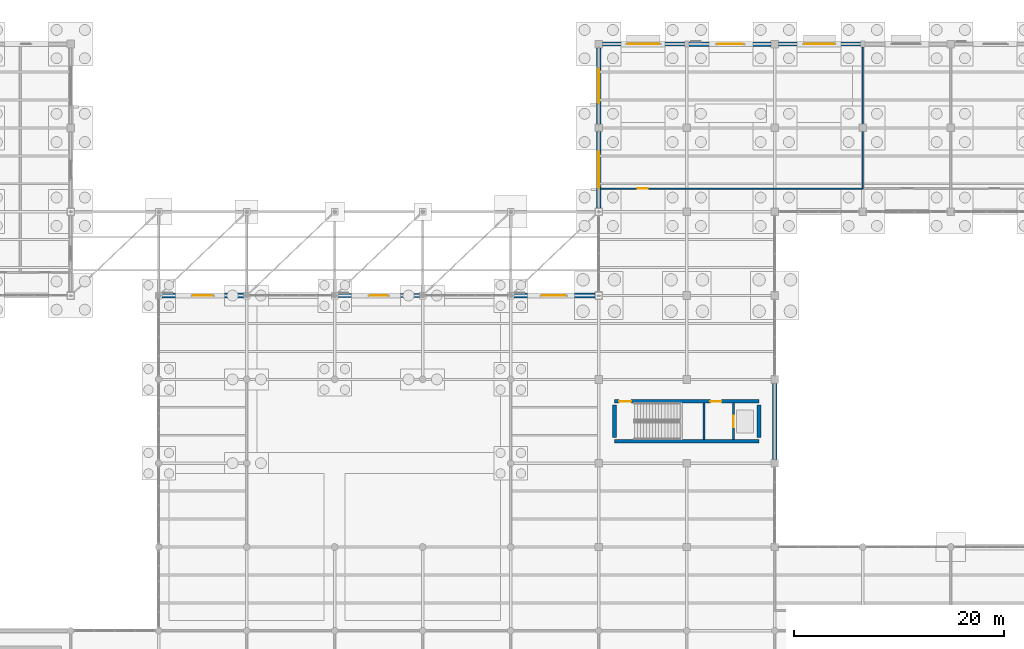
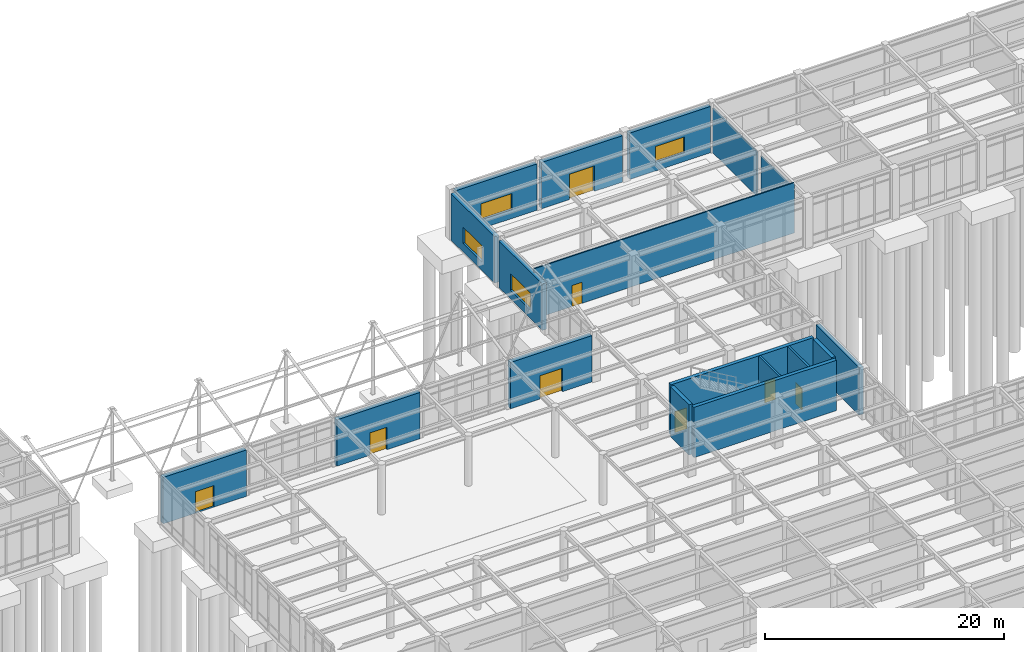
# One storey, part 83 of 138: 18 walls, 8 doors, 4 windows, 12 openings.
"""IFC4 building model written with IfcOpenShell, lengths in metres."""

from ifc_helpers import new_model, si_unit, direction, frame, frame_2d, origin, place, context, subcontext, project, spatial, rectangle, extrude, material, layer, layer_set, type_object, element, fill, save


model = new_model("IFC4")

# Units and contexts
model_context = context("Model", 3, precision=1e-05, world=origin(), true_north=direction((0.0, 1.0)))
body_context = subcontext(model_context, "Body", "Model", "MODEL_VIEW")
ifc_project = project(units=[si_unit("LENGTHUNIT", "METRE"), si_unit("AREAUNIT", "SQUARE_METRE"), si_unit("VOLUMEUNIT", "CUBIC_METRE"), si_unit("PLANEANGLEUNIT", "RADIAN"), si_unit("MASSUNIT", "GRAM", prefix="KILO")], contexts=[model_context])

# Site, building, storey
site_placement = place(None, origin())
site = spatial("IfcSite", under=ifc_project, at=site_placement, CompositionType="ELEMENT")
building_placement = place(site_placement, origin())
building = spatial("IfcBuilding", under=site, at=building_placement, Name="Kranzveld Transit Interchange", CompositionType="ELEMENT")
storey_placement = place(building_placement, origin())
storey = spatial("IfcBuildingStorey", under=building, at=storey_placement, Name="L00", CompositionType="ELEMENT", Elevation=0.0)

# Wall
ifc_material_1 = material(Name="Concrete C40/50", Category="concrete")
ifc_layer_1 = layer(ifc_material_1, 0.35009765625)
ifc_layer_set_1 = layer_set([ifc_layer_1], Name="Concrete C40/50")
wall_type_1 = type_object("IfcWallType", Name="Core Shear Wall RC 350 C40/50", PredefinedType="SHEAR", material=ifc_layer_set_1)
wall_1_placement = place(storey_placement, frame((102.300048828125, 74.090087890625, 0.0), z_axis=(0.0, 0.0, 1.0), x_axis=(1.0, 0.0, 0.0)))
element("IfcWall", 1, at=wall_1_placement, inside=storey, type_object=wall_type_1, Name="L00 Community Core C3 Shear Wall S", PredefinedType="SHEAR", context=body_context, shape_type="SweptSolid", body=[
    extrude(rectangle(XDim=13.800048828125, YDim=0.35009765625, at=frame_2d((6.89990234375, 0.0))), origin(), (0.0, 0.0, 1.0), 5.14990234375),
])

# Wall, openings, doors
wall_2_placement = place(storey_placement, frame((102.300048828125, 77.909912109375, 0.0), z_axis=(0.0, 0.0, 1.0), x_axis=(1.0, 0.0, 0.0)))
wall_2 = element("IfcWall", 2, at=wall_2_placement, inside=storey, type_object=wall_type_1, Name="L00 Community Core C3 Shear Wall N", PredefinedType="SHEAR", context=body_context, shape_type="SweptSolid", body=[
    extrude(rectangle(XDim=13.800048828125, YDim=0.35009765625, at=frame_2d((6.89990234375, 0.0))), origin(), (0.0, 0.0, 1.0), 5.14990234375),
])
opening_1_placement = place(wall_2_placement, frame((0.449951171875, 0.0, 0.0), z_axis=(0.0, 0.0, 1.0), x_axis=(1.0, 0.0, 0.0)))
opening_1 = element("IfcOpeningElement", 3, at=opening_1_placement, cuts=wall_2, Name="Opening D-ST-C3-L00", PredefinedType="OPENING", context=body_context, shape_type="SweptSolid", body=[
    extrude(rectangle(XDim=1.14990234375, YDim=2.14990234375, at=frame_2d((0.574951171875, 1.074951171875))), frame((0.0, 0.18505859375, 0.0), z_axis=(0.0, -1.0, 0.0), x_axis=(1.0, 0.0, 0.0)), (0.0, 0.0, 1.0), 0.3701171875),
])
opening_2_placement = place(wall_2_placement, frame((9.14990234375, 0.0, 0.0), z_axis=(0.0, 0.0, 1.0), x_axis=(1.0, 0.0, 0.0)))
opening_2 = element("IfcOpeningElement", 4, at=opening_2_placement, cuts=wall_2, Name="Opening D-LB-C3-L00", PredefinedType="OPENING", context=body_context, shape_type="SweptSolid", body=[
    extrude(rectangle(XDim=1.050048828125, YDim=2.14990234375, at=frame_2d((0.52490234375, 1.074951171875))), frame((0.0, 0.18505859375, 0.0), z_axis=(0.0, -1.0, 0.0), x_axis=(1.0, 0.0, 0.0)), (0.0, 0.0, 1.0), 0.3701171875),
])
ifc_material_2 = material(Name="Steel S355JR", Category="steel")
door_type_1 = type_object("IfcDoorType", Name="Lift Lobby Fire Door 1050x2150 FD120S", OperationType="NOTDEFINED", PredefinedType="DOOR", material=ifc_material_2)
door_1_placement = place(opening_2_placement, origin())
door_1 = element("IfcDoor", 5, at=door_1_placement, inside=storey, type_object=door_type_1, Name="L00 Community Core C3 Lift Protected Lobby Door", OperationType="SINGLE_SWING_RIGHT", OverallHeight=2.14990234375, OverallWidth=1.050048828125, PredefinedType="DOOR", context=body_context, shape_type="SweptSolid", body=[
    extrude(rectangle(XDim=1.050048828125, YDim=2.14990234375, at=frame_2d((0.52490234375, 1.074951171875))), frame((0.0, 0.02490234375, 0.0), z_axis=(0.0, -1.0, 0.0), x_axis=(1.0, 0.0, 0.0)), (0.0, 0.0, 1.0), 0.050048828125),
])
fill(opening_2, door_1)
ifc_material_3 = material(Name="Steel S355JR", Category="steel")
door_type_2 = type_object("IfcDoorType", Name="Stair Core Fire Door 1150x2150 FD120S", OperationType="NOTDEFINED", PredefinedType="DOOR", material=ifc_material_3)
door_2_placement = place(opening_1_placement, origin())
door_2 = element("IfcDoor", 6, at=door_2_placement, inside=storey, type_object=door_type_2, Name="L00 ST-V4A Protected Stair Door", OperationType="SINGLE_SWING_RIGHT", OverallHeight=2.14990234375, OverallWidth=1.14990234375, PredefinedType="DOOR", context=body_context, shape_type="SweptSolid", body=[
    extrude(rectangle(XDim=1.14990234375, YDim=2.14990234375, at=frame_2d((0.574951171875, 1.074951171875))), frame((0.0, 0.02490234375, 0.0), z_axis=(0.0, -1.0, 0.0), x_axis=(1.0, 0.0, 0.0)), (0.0, 0.0, 1.0), 0.050048828125),
])
fill(opening_1, door_2)

# Walls
for number, where, z_axis, x_axis, name in (
    (7, (102.300048828125, 74.43994140625, 0.0), (0.0, 0.0, 1.0), (0.0, 1.0, 0.0), "L00 Community Core C3 Shear Wall W"),
    (8, (116.10009765625, 74.43994140625, 0.0), (0.0, 0.0, 1.0), (0.0, 1.0, 0.0), "L00 Community Core C3 Shear Wall E"),
):
    element("IfcWall", number, at=place(storey_placement, frame(where, z_axis=z_axis, x_axis=x_axis)), inside=storey, type_object=wall_type_1, Name=name, PredefinedType="SHEAR", context=body_context, shape_type="SweptSolid", body=[
        extrude(rectangle(XDim=3.1201171875, YDim=0.35009765625, at=frame_2d((1.56005859375, 0.0))), origin(), (0.0, 0.0, 1.0), 5.14990234375),
    ])

# Wall, opening, door
ifc_material_4 = material(Name="Dark Pretoria clinker clay plinth brick, 40 MPa", Category="masonry")
ifc_layer_2 = layer(ifc_material_4, 0.409912109375)
ifc_layer_set_2 = layer_set([ifc_layer_2], Name="Dark Pretoria clinker clay plinth brick, 40 MPa")
wall_type_2 = type_object("IfcWallType", Name="Exterior Arcade Wall Dark Clinker 410", PredefinedType="SOLIDWALL", material=ifc_layer_set_2)
wall_3_placement = place(storey_placement, frame((75.77783203125, 88.0, 0.0), z_axis=(0.0, 0.0, 1.0), x_axis=(1.0, 0.0, 0.0)))
wall_3 = element("IfcWall", 9, at=wall_3_placement, inside=storey, type_object=wall_type_2, Name="L00 Clinker Facade Wall 10/M-11/M", PredefinedType="SOLIDWALL", context=body_context, shape_type="SweptSolid", body=[
    extrude(rectangle(XDim=8.04443359375, YDim=0.409912109375, at=frame_2d((4.022216796875, 0.0))), origin(), (0.0, 0.0, 1.0), 4.740478515625),
])
opening_3_placement = place(wall_3_placement, frame((3.197265625, 0.0, 0.0), z_axis=(0.0, 0.0, 1.0), x_axis=(1.0, 0.0, 0.0)))
opening_3 = element("IfcOpeningElement", 10, at=opening_3_placement, cuts=wall_3, Name="Opening ED-00-05", PredefinedType="OPENING", context=body_context, shape_type="SweptSolid", body=[
    extrude(rectangle(XDim=1.64990234375, YDim=2.300048828125, at=frame_2d((0.824951171875, 1.14990234375))), frame((0.0, 0.21484375, 0.0), z_axis=(0.0, -1.0, 0.0), x_axis=(1.0, 0.0, 0.0)), (0.0, 0.0, 1.0), 0.429931640625),
])
ifc_material_5 = material(Name="Bronze-anodised thermally broken aluminium", Category="aluminium")
door_type_3 = type_object("IfcDoorType", Name="Shopfront Glazed Entrance Door 1650x2300", OperationType="NOTDEFINED", PredefinedType="DOOR", material=ifc_material_5)
door_3_placement = place(opening_3_placement, origin())
door_3 = element("IfcDoor", 11, at=door_3_placement, inside=storey, type_object=door_type_3, Name="L00 Entrance/Exit Door 10/M", OperationType="DOUBLE_DOOR_SINGLE_SWING", OverallHeight=2.300048828125, OverallWidth=1.64990234375, PredefinedType="DOOR", context=body_context, shape_type="SweptSolid", body=[
    extrude(rectangle(XDim=1.64990234375, YDim=2.300048828125, at=frame_2d((0.824951171875, 1.14990234375))), frame((0.0, 0.02490234375, 0.0), z_axis=(0.0, -1.0, 0.0), x_axis=(1.0, 0.0, 0.0)), (0.0, 0.0, 1.0), 0.050048828125),
])
fill(opening_3, door_3)

# Wall, opening, window
wall_4_placement = place(storey_placement, frame((100.800048828125, 96.375, 0.0), z_axis=(0.0, 0.0, 1.0), x_axis=(0.0, 1.0, 0.0)))
wall_4 = element("IfcWall", 12, at=wall_4_placement, inside=storey, type_object=wall_type_2, Name="L00 Clinker Facade Wall 13/N-13/P", PredefinedType="SOLIDWALL", context=body_context, shape_type="SweptSolid", body=[
    extrude(rectangle(XDim=7.27490234375, YDim=0.409912109375, at=frame_2d((3.637451171875, 0.0))), origin(), (0.0, 0.0, 1.0), 4.747314453125),
])
opening_4_placement = place(wall_4_placement, frame((1.9375, 0.0, 0.89990234375), z_axis=(0.0, 0.0, 1.0), x_axis=(1.0, 0.0, 0.0)))
opening_4 = element("IfcOpeningElement", 13, at=opening_4_placement, cuts=wall_4, Name="Opening W-02", PredefinedType="OPENING", context=body_context, shape_type="SweptSolid", body=[
    extrude(rectangle(XDim=3.39990234375, YDim=1.699951171875, at=frame_2d((1.699951171875, 0.85009765625))), frame((0.0, 0.21484375, 0.0), z_axis=(0.0, -1.0, 0.0), x_axis=(1.0, 0.0, 0.0)), (0.0, 0.0, 1.0), 0.429931640625),
])
ifc_material_6 = material(Name="Solar-control double glazing", Category="glass")
window_type_1 = type_object("IfcWindowType", Name="Window Ribbon Triple 3400x1700", PartitioningType="TRIPLE_PANEL_VERTICAL", PredefinedType="WINDOW", material=ifc_material_6)
window_1_placement = place(opening_4_placement, origin())
window_1 = element("IfcWindow", 14, at=window_1_placement, inside=storey, type_object=window_type_1, Name="L00 Facade Window 13/N", OverallHeight=1.699951171875, OverallWidth=3.39990234375, PartitioningType="TRIPLE_PANEL_VERTICAL", PredefinedType="WINDOW", context=body_context, shape_type="SweptSolid", body=[
    extrude(rectangle(XDim=3.39990234375, YDim=1.699951171875, at=frame_2d((1.699951171875, 0.85009765625))), frame((0.0, 0.030029296875, 0.0), z_axis=(0.0, -1.0, 0.0), x_axis=(1.0, 0.0, 0.0)), (0.0, 0.0, 1.0), 0.06005859375),
])
fill(opening_4, window_1)

wall_5_placement = place(storey_placement, frame((101.14990234375, 112.0, 0.0), z_axis=(0.0, 0.0, 1.0), x_axis=(1.0, 0.0, 0.0)))
wall_5 = element("IfcWall", 15, at=wall_5_placement, inside=storey, type_object=wall_type_2, Name="L00 Clinker Facade Wall 13/Q-14/Q", PredefinedType="SOLIDWALL", context=body_context, shape_type="SweptSolid", body=[
    extrude(rectangle(XDim=7.8251953125, YDim=0.409912109375, at=frame_2d((3.91259765625, 0.0))), origin(), (0.0, 0.0, 1.0), 4.740478515625),
])
opening_5_placement = place(wall_5_placement, frame((2.41259765625, 0.0, 0.89990234375), z_axis=(0.0, 0.0, 1.0), x_axis=(1.0, 0.0, 0.0)))
opening_5 = element("IfcOpeningElement", 16, at=opening_5_placement, cuts=wall_5, Name="Opening W-04", PredefinedType="OPENING", context=body_context, shape_type="SweptSolid", body=[
    extrude(rectangle(XDim=3.0, YDim=1.64990234375, at=frame_2d((1.5, 0.824951171875))), frame((0.0, 0.21484375, 0.0), z_axis=(0.0, -1.0, 0.0), x_axis=(1.0, 0.0, 0.0)), (0.0, 0.0, 1.0), 0.429931640625),
])
ifc_material_7 = material(Name="Solar-control double glazing", Category="glass")
window_type_2 = type_object("IfcWindowType", Name="Window Ribbon Double 3000x1650", PartitioningType="DOUBLE_PANEL_VERTICAL", PredefinedType="WINDOW", material=ifc_material_7)
window_2_placement = place(opening_5_placement, origin())
window_2 = element("IfcWindow", 17, at=window_2_placement, inside=storey, type_object=window_type_2, Name="L00 Facade Window 13/Q", OverallHeight=1.64990234375, OverallWidth=3.0, PartitioningType="DOUBLE_PANEL_VERTICAL", PredefinedType="WINDOW", context=body_context, shape_type="SweptSolid", body=[
    extrude(rectangle(XDim=3.0, YDim=1.64990234375, at=frame_2d((1.5, 0.824951171875))), frame((0.0, 0.030029296875, 0.0), z_axis=(0.0, -1.0, 0.0), x_axis=(1.0, 0.0, 0.0)), (0.0, 0.0, 1.0), 0.06005859375),
])
fill(opening_5, window_2)

wall_6_placement = place(storey_placement, frame((117.949951171875, 112.0, 0.0), z_axis=(0.0, 0.0, 1.0), x_axis=(1.0, 0.0, 0.0)))
wall_6 = element("IfcWall", 18, at=wall_6_placement, inside=storey, type_object=wall_type_2, Name="L00 Clinker Facade Wall 15/Q-16/Q", PredefinedType="SOLIDWALL", context=body_context, shape_type="SweptSolid", body=[
    extrude(rectangle(XDim=7.824951171875, YDim=0.409912109375, at=frame_2d((3.91259765625, 0.0))), origin(), (0.0, 0.0, 1.0), 4.740478515625),
])
opening_6_placement = place(wall_6_placement, frame((2.512451171875, 0.0, 0.89990234375), z_axis=(0.0, 0.0, 1.0), x_axis=(1.0, 0.0, 0.0)))
opening_6 = element("IfcOpeningElement", 19, at=opening_6_placement, cuts=wall_6, Name="Opening W-05", PredefinedType="OPENING", context=body_context, shape_type="SweptSolid", body=[
    extrude(rectangle(XDim=2.800048828125, YDim=1.60009765625, at=frame_2d((1.39990234375, 0.800048828125))), frame((0.0, 0.21484375, 0.0), z_axis=(0.0, -1.0, 0.0), x_axis=(1.0, 0.0, 0.0)), (0.0, 0.0, 1.0), 0.429931640625),
])
ifc_material_8 = material(Name="Solar-control double glazing", Category="glass")
window_type_3 = type_object("IfcWindowType", Name="Window Ribbon Double 2800x1600", PartitioningType="DOUBLE_PANEL_VERTICAL", PredefinedType="WINDOW", material=ifc_material_8)
window_3_placement = place(opening_6_placement, origin())
window_3 = element("IfcWindow", 20, at=window_3_placement, inside=storey, type_object=window_type_3, Name="L00 Facade Window 15/Q", OverallHeight=1.60009765625, OverallWidth=2.800048828125, PartitioningType="DOUBLE_PANEL_VERTICAL", PredefinedType="WINDOW", context=body_context, shape_type="SweptSolid", body=[
    extrude(rectangle(XDim=2.800048828125, YDim=1.60009765625, at=frame_2d((1.39990234375, 0.800048828125))), frame((0.0, 0.030029296875, 0.0), z_axis=(0.0, -1.0, 0.0), x_axis=(1.0, 0.0, 0.0)), (0.0, 0.0, 1.0), 0.06005859375),
])
fill(opening_6, window_3)

# Wall
wall_7_placement = place(storey_placement, frame((117.60009765625, 72.375, 0.0), z_axis=(0.0, 0.0, 1.0), x_axis=(0.0, 1.0, 0.0)))
element("IfcWall", 21, at=wall_7_placement, inside=storey, type_object=wall_type_2, Name="L00 Clinker Facade Wall 15/K-15/L", PredefinedType="SOLIDWALL", context=body_context, shape_type="SweptSolid", body=[
    extrude(rectangle(XDim=7.25, YDim=0.409912109375, at=frame_2d((3.625, 0.0))), origin(), (0.0, 0.0, 1.0), 4.85009765625),
])

# Wall, opening, door
ifc_material_9 = material(Name="Dark Pretoria clinker clay plinth brick, 40 MPa", Category="masonry")
ifc_layer_3 = layer(ifc_material_9, 0.43994140625)
ifc_layer_set_3 = layer_set([ifc_layer_3], Name="Dark Pretoria clinker clay plinth brick, 40 MPa")
wall_type_3 = type_object("IfcWallType", Name="Exterior Plinth Wall Dark Clinker 440", PredefinedType="SOLIDWALL", material=ifc_layer_set_3)
wall_8_placement = place(storey_placement, frame((58.977783203125, 88.0, 0.0), z_axis=(0.0, 0.0, 1.0), x_axis=(1.0, 0.0, 0.0)))
wall_8 = element("IfcWall", 22, at=wall_8_placement, inside=storey, type_object=wall_type_3, Name="L00 Clinker Facade Wall 08/M-09/M", PredefinedType="SOLIDWALL", context=body_context, shape_type="SweptSolid", body=[
    extrude(rectangle(XDim=8.04443359375, YDim=0.43994140625, at=frame_2d((4.022216796875, 0.0))), origin(), (0.0, 0.0, 1.0), 4.740478515625),
])
opening_7_placement = place(wall_8_placement, frame((3.122314453125, 0.0, 0.0), z_axis=(0.0, 0.0, 1.0), x_axis=(1.0, 0.0, 0.0)))
opening_7 = element("IfcOpeningElement", 23, at=opening_7_placement, cuts=wall_8, Name="Opening ED-00-04", PredefinedType="OPENING", context=body_context, shape_type="SweptSolid", body=[
    extrude(rectangle(XDim=1.800048828125, YDim=2.199951171875, at=frame_2d((0.89990234375, 1.10009765625))), frame((0.0, 0.22998046875, 0.0), z_axis=(0.0, -1.0, 0.0), x_axis=(1.0, 0.0, 0.0)), (0.0, 0.0, 1.0), 0.4599609375),
])
ifc_material_10 = material(Name="Bronze-anodised thermally broken aluminium", Category="aluminium")
door_type_4 = type_object("IfcDoorType", Name="Final Exit Double Fire Door 1800x2200 FD60S", OperationType="NOTDEFINED", PredefinedType="DOOR", material=ifc_material_10)
door_4_placement = place(opening_7_placement, origin())
door_4 = element("IfcDoor", 24, at=door_4_placement, inside=storey, type_object=door_type_4, Name="L00 Entrance/Exit Door 08/M", OperationType="DOUBLE_DOOR_SINGLE_SWING", OverallHeight=2.199951171875, OverallWidth=1.800048828125, PredefinedType="DOOR", context=body_context, shape_type="SweptSolid", body=[
    extrude(rectangle(XDim=1.800048828125, YDim=2.199951171875, at=frame_2d((0.89990234375, 1.10009765625))), frame((0.0, 0.02490234375, 0.0), z_axis=(0.0, -1.0, 0.0), x_axis=(1.0, 0.0, 0.0)), (0.0, 0.0, 1.0), 0.050048828125),
])
fill(opening_7, door_4)

wall_9_placement = place(storey_placement, frame((92.577880859375, 88.0, 0.0), z_axis=(0.0, 0.0, 1.0), x_axis=(1.0, 0.0, 0.0)))
wall_9 = element("IfcWall", 25, at=wall_9_placement, inside=storey, type_object=wall_type_3, Name="L00 Clinker Facade Wall 12/M-13/M", PredefinedType="SOLIDWALL", context=body_context, shape_type="SweptSolid", body=[
    extrude(rectangle(XDim=7.84716796875, YDim=0.43994140625, at=frame_2d((3.923583984375, 0.0))), origin(), (0.0, 0.0, 1.0), 4.740478515625),
])
opening_8_placement = place(wall_9_placement, frame((2.823486328125, 0.0, 0.0), z_axis=(0.0, 0.0, 1.0), x_axis=(1.0, 0.0, 0.0)))
opening_8 = element("IfcOpeningElement", 26, at=opening_8_placement, cuts=wall_9, Name="Opening ED-00-06", PredefinedType="OPENING", context=body_context, shape_type="SweptSolid", body=[
    extrude(rectangle(XDim=2.199951171875, YDim=2.39990234375, at=frame_2d((1.10009765625, 1.199951171875))), frame((0.0, 0.22998046875, 0.0), z_axis=(0.0, -1.0, 0.0), x_axis=(1.0, 0.0, 0.0)), (0.0, 0.0, 1.0), 0.4599609375),
])
ifc_material_11 = material(Name="Bronze-anodised thermally broken aluminium", Category="aluminium")
door_type_5 = type_object("IfcDoorType", Name="Cycle Hub Pass-Through Double Door 2200x2400", OperationType="NOTDEFINED", PredefinedType="DOOR", material=ifc_material_11)
door_5_placement = place(opening_8_placement, origin())
door_5 = element("IfcDoor", 27, at=door_5_placement, inside=storey, type_object=door_type_5, Name="L00 Entrance/Exit Door 12/M", OperationType="DOUBLE_DOOR_SINGLE_SWING", OverallHeight=2.39990234375, OverallWidth=2.199951171875, PredefinedType="DOOR", context=body_context, shape_type="SweptSolid", body=[
    extrude(rectangle(XDim=2.199951171875, YDim=2.39990234375, at=frame_2d((1.10009765625, 1.199951171875))), frame((0.0, 0.02490234375, 0.0), z_axis=(0.0, -1.0, 0.0), x_axis=(1.0, 0.0, 0.0)), (0.0, 0.0, 1.0), 0.050048828125),
])
fill(opening_8, door_5)

# Wall, opening, window
wall_10_placement = place(storey_placement, frame((100.800048828125, 104.35009765625, 0.0), z_axis=(0.0, 0.0, 1.0), x_axis=(0.0, 1.0, 0.0)))
wall_10 = element("IfcWall", 28, at=wall_10_placement, inside=storey, type_object=wall_type_3, Name="L00 Clinker Facade Wall 13/P-13/Q", PredefinedType="SOLIDWALL", context=body_context, shape_type="SweptSolid", body=[
    extrude(rectangle(XDim=7.2998046875, YDim=0.43994140625, at=frame_2d((3.64990234375, 0.0))), origin(), (0.0, 0.0, 1.0), 4.747314453125),
])
opening_9_placement = place(wall_10_placement, frame((2.050048828125, 0.0, 0.89990234375), z_axis=(0.0, 0.0, 1.0), x_axis=(1.0, 0.0, 0.0)))
opening_9 = element("IfcOpeningElement", 29, at=opening_9_placement, cuts=wall_10, Name="Opening W-03", PredefinedType="OPENING", context=body_context, shape_type="SweptSolid", body=[
    extrude(rectangle(XDim=3.199951171875, YDim=1.64990234375, at=frame_2d((1.60009765625, 0.824951171875))), frame((0.0, 0.22998046875, 0.0), z_axis=(0.0, -1.0, 0.0), x_axis=(1.0, 0.0, 0.0)), (0.0, 0.0, 1.0), 0.4599609375),
])
ifc_material_12 = material(Name="Solar-control double glazing", Category="glass")
window_type_4 = type_object("IfcWindowType", Name="Window Ribbon Triple 3200x1650", PartitioningType="TRIPLE_PANEL_VERTICAL", PredefinedType="WINDOW", material=ifc_material_12)
window_4_placement = place(opening_9_placement, origin())
window_4 = element("IfcWindow", 30, at=window_4_placement, inside=storey, type_object=window_type_4, Name="L00 Facade Window 13/P", OverallHeight=1.64990234375, OverallWidth=3.199951171875, PartitioningType="TRIPLE_PANEL_VERTICAL", PredefinedType="WINDOW", context=body_context, shape_type="SweptSolid", body=[
    extrude(rectangle(XDim=3.199951171875, YDim=1.64990234375, at=frame_2d((1.60009765625, 0.824951171875))), frame((0.0, 0.030029296875, 0.0), z_axis=(0.0, -1.0, 0.0), x_axis=(1.0, 0.0, 0.0)), (0.0, 0.0, 1.0), 0.06005859375),
])
fill(opening_9, window_4)

# Wall, opening, door
wall_11_placement = place(storey_placement, frame((109.425048828125, 112.0, 0.0), z_axis=(0.0, 0.0, 1.0), x_axis=(1.0, 0.0, 0.0)))
wall_11 = element("IfcWall", 31, at=wall_11_placement, inside=storey, type_object=wall_type_3, Name="L00 Clinker Facade Wall 14/Q-15/Q", PredefinedType="SOLIDWALL", context=body_context, shape_type="SweptSolid", body=[
    extrude(rectangle(XDim=7.824951171875, YDim=0.43994140625, at=frame_2d((3.91259765625, 0.0))), origin(), (0.0, 0.0, 1.0), 4.740478515625),
])
opening_10_placement = place(wall_11_placement, frame((2.71240234375, 0.0, 0.0), z_axis=(0.0, 0.0, 1.0), x_axis=(1.0, 0.0, 0.0)))
opening_10 = element("IfcOpeningElement", 32, at=opening_10_placement, cuts=wall_11, Name="Opening ED-00-07", PredefinedType="OPENING", context=body_context, shape_type="SweptSolid", body=[
    extrude(rectangle(XDim=2.39990234375, YDim=2.60009765625, at=frame_2d((1.199951171875, 1.300048828125))), frame((0.0, 0.22998046875, 0.0), z_axis=(0.0, -1.0, 0.0), x_axis=(1.0, 0.0, 0.0)), (0.0, 0.0, 1.0), 0.4599609375),
])
ifc_material_13 = material(Name="Bronze-anodised thermally broken aluminium", Category="aluminium")
door_type_6 = type_object("IfcDoorType", Name="Main Concourse Entrance Double Door 2400x2600", OperationType="NOTDEFINED", PredefinedType="DOOR", material=ifc_material_13)
door_6_placement = place(opening_10_placement, origin())
door_6 = element("IfcDoor", 33, at=door_6_placement, inside=storey, type_object=door_type_6, Name="L00 Entrance/Exit Door 14/Q", OperationType="DOUBLE_DOOR_SINGLE_SWING", OverallHeight=2.60009765625, OverallWidth=2.39990234375, PredefinedType="DOOR", context=body_context, shape_type="SweptSolid", body=[
    extrude(rectangle(XDim=2.39990234375, YDim=2.60009765625, at=frame_2d((1.199951171875, 1.300048828125))), frame((0.0, 0.02490234375, 0.0), z_axis=(0.0, -1.0, 0.0), x_axis=(1.0, 0.0, 0.0)), (0.0, 0.0, 1.0), 0.050048828125),
])
fill(opening_10, door_6)

ifc_material_14 = material(Name="Clay masonry unit wall, 20 MPa", Category="masonry")
ifc_layer_4 = layer(ifc_material_14, 0.125)
ifc_layer_set_4 = layer_set([ifc_layer_4], Name="Clay masonry unit wall, 20 MPa")
wall_type_4 = type_object("IfcWallType", Name="Internal Blockwork Partition 125", PredefinedType="PARTITIONING", material=ifc_layer_set_4)
wall_12_placement = place(storey_placement, frame((100.840087890625, 98.199951171875, 0.0), z_axis=(0.0, 0.0, 1.0), x_axis=(1.0, 0.0, 0.0)))
wall_12 = element("IfcWall", 34, at=wall_12_placement, inside=storey, type_object=wall_type_4, Name="L00 Partition IW-L00-L00V4N-FRT-023-0", PredefinedType="PARTITIONING", context=body_context, shape_type="SweptSolid", body=[
    extrude(rectangle(XDim=25.159912109375, YDim=0.125, at=frame_2d((12.580078125, 0.0))), origin(), (0.0, 0.0, 1.0), 5.14990234375),
])
opening_11_placement = place(wall_12_placement, frame((3.659912109375, 0.0, 0.0), z_axis=(0.0, 0.0, 1.0), x_axis=(1.0, 0.0, 0.0)))
opening_11 = element("IfcOpeningElement", 35, at=opening_11_placement, cuts=wall_12, Name="Opening D-023", PredefinedType="OPENING", context=body_context, shape_type="SweptSolid", body=[
    extrude(rectangle(XDim=0.97998046875, YDim=2.14990234375, at=frame_2d((0.489990234375, 1.074951171875))), frame((0.0, 0.072509765625, 0.0), z_axis=(0.0, -1.0, 0.0), x_axis=(1.0, 0.0, 0.0)), (0.0, 0.0, 1.0), 0.14501953125),
])
ifc_material_15 = material(Name="Bronze-anodised thermally broken aluminium", Category="aluminium")
door_type_7 = type_object("IfcDoorType", Name="Retail Back-of-House Door 980x2150", OperationType="NOTDEFINED", PredefinedType="DOOR", material=ifc_material_15)
door_7_placement = place(opening_11_placement, origin())
door_7 = element("IfcDoor", 36, at=door_7_placement, inside=storey, type_object=door_type_7, Name="L00 Interior Door D-023", OperationType="SINGLE_SWING_LEFT", OverallHeight=2.14990234375, OverallWidth=0.97998046875, PredefinedType="DOOR", context=body_context, shape_type="SweptSolid", body=[
    extrude(rectangle(XDim=0.97998046875, YDim=2.14990234375, at=frame_2d((0.489990234375, 1.074951171875))), frame((0.0, 0.02490234375, 0.0), z_axis=(0.0, -1.0, 0.0), x_axis=(1.0, 0.0, 0.0)), (0.0, 0.0, 1.0), 0.050048828125),
])
fill(opening_11, door_7)

# Walls
wall_13_placement = place(storey_placement, frame((126.0, 98.199951171875, 0.0), z_axis=(0.0, 0.0, 1.0), x_axis=(0.0, 1.0, 0.0)))
element("IfcWall", 37, at=wall_13_placement, inside=storey, type_object=wall_type_4, Name="L00 Partition IW-L00-L00V4N-E-023-0", PredefinedType="PARTITIONING", context=body_context, shape_type="SweptSolid", body=[
    extrude(rectangle(XDim=5.4599609375, YDim=0.125, at=frame_2d((2.72998046875, 0.0))), origin(), (0.0, 0.0, 1.0), 4.54248046875),
])
wall_14_placement = place(storey_placement, frame((126.0, 104.340087890625, 0.0), z_axis=(0.0, 0.0, 1.0), x_axis=(0.0, 1.0, 0.0)))
element("IfcWall", 38, at=wall_14_placement, inside=storey, type_object=wall_type_4, Name="L00 Partition IW-L00-L00V4N-E-023-1", PredefinedType="PARTITIONING", context=body_context, shape_type="SweptSolid", body=[
    extrude(rectangle(XDim=7.369873046875, YDim=0.125, at=frame_2d((3.68505859375, 0.0))), origin(), (0.0, 0.0, 1.0), 4.54248046875),
])
ifc_material_16 = material(Name="Concrete C40/50", Category="concrete")
ifc_layer_5 = layer(ifc_material_16, 0.199951171875)
ifc_layer_set_5 = layer_set([ifc_layer_5], Name="Concrete C40/50")
wall_type_5 = type_object("IfcWallType", Name="Lift Shaft Enclosure Wall RC 200 EI120", PredefinedType="SHEAR", material=ifc_layer_set_5)
wall_15_placement = place(storey_placement, frame((110.85009765625, 74.264892578125, 0.0), z_axis=(0.0, 0.0, 1.0), x_axis=(0.0, 1.0, 0.0)))
element("IfcWall", 39, at=wall_15_placement, inside=storey, type_object=wall_type_5, Name="L00 Community Core C3 Stair-Lobby Dividing Wall", PredefinedType="SHEAR", context=body_context, shape_type="SweptSolid", body=[
    extrude(rectangle(XDim=3.47021484375, YDim=0.199951171875, at=frame_2d((1.735107421875, 0.0))), origin(), (0.0, 0.0, 1.0), 5.14990234375),
])

# Wall, opening, door
wall_16_placement = place(storey_placement, frame((113.64990234375, 74.264892578125, 0.0), z_axis=(0.0, 0.0, 1.0), x_axis=(0.0, 1.0, 0.0)))
wall_16 = element("IfcWall", 40, at=wall_16_placement, inside=storey, type_object=wall_type_5, Name="L00 LF-V4A Shaft Front Wall", PredefinedType="SHEAR", context=body_context, shape_type="SweptSolid", body=[
    extrude(rectangle(XDim=3.47021484375, YDim=0.199951171875, at=frame_2d((1.735107421875, 0.0))), origin(), (0.0, 0.0, 1.0), 5.14990234375),
])
opening_12_placement = place(wall_16_placement, frame((1.18505859375, 0.0, 0.0), z_axis=(0.0, 0.0, 1.0), x_axis=(1.0, 0.0, 0.0)))
opening_12 = element("IfcOpeningElement", 41, at=opening_12_placement, cuts=wall_16, Name="Opening LD-LF-V4A-L00", PredefinedType="OPENING", context=body_context, shape_type="SweptSolid", body=[
    extrude(rectangle(XDim=1.10009765625, YDim=2.14990234375, at=frame_2d((0.550048828125, 1.074951171875))), frame((0.0, 0.10986328125, 0.0), z_axis=(0.0, -1.0, 0.0), x_axis=(1.0, 0.0, 0.0)), (0.0, 0.0, 1.0), 0.219970703125),
])
ifc_material_17 = material(Name="Steel S355JR", Category="steel")
door_type_8 = type_object("IfcDoorType", Name="Lift Landing Sliding Door 1100x2150 FD120S", OperationType="NOTDEFINED", PredefinedType="DOOR", material=ifc_material_17)
door_8_placement = place(opening_12_placement, origin())
door_8 = element("IfcDoor", 42, at=door_8_placement, inside=storey, type_object=door_type_8, Name="L00 LF-V4A Sliding Landing Door", OperationType="DOUBLE_DOOR_SLIDING", OverallHeight=2.14990234375, OverallWidth=1.10009765625, PredefinedType="DOOR", context=body_context, shape_type="SweptSolid", body=[
    extrude(rectangle(XDim=1.10009765625, YDim=2.14990234375, at=frame_2d((0.550048828125, 1.074951171875))), frame((0.0, 0.02490234375, 0.0), z_axis=(0.0, -1.0, 0.0), x_axis=(1.0, 0.0, 0.0)), (0.0, 0.0, 1.0), 0.050048828125),
])
fill(opening_12, door_8)

save(model, "model.ifc")
